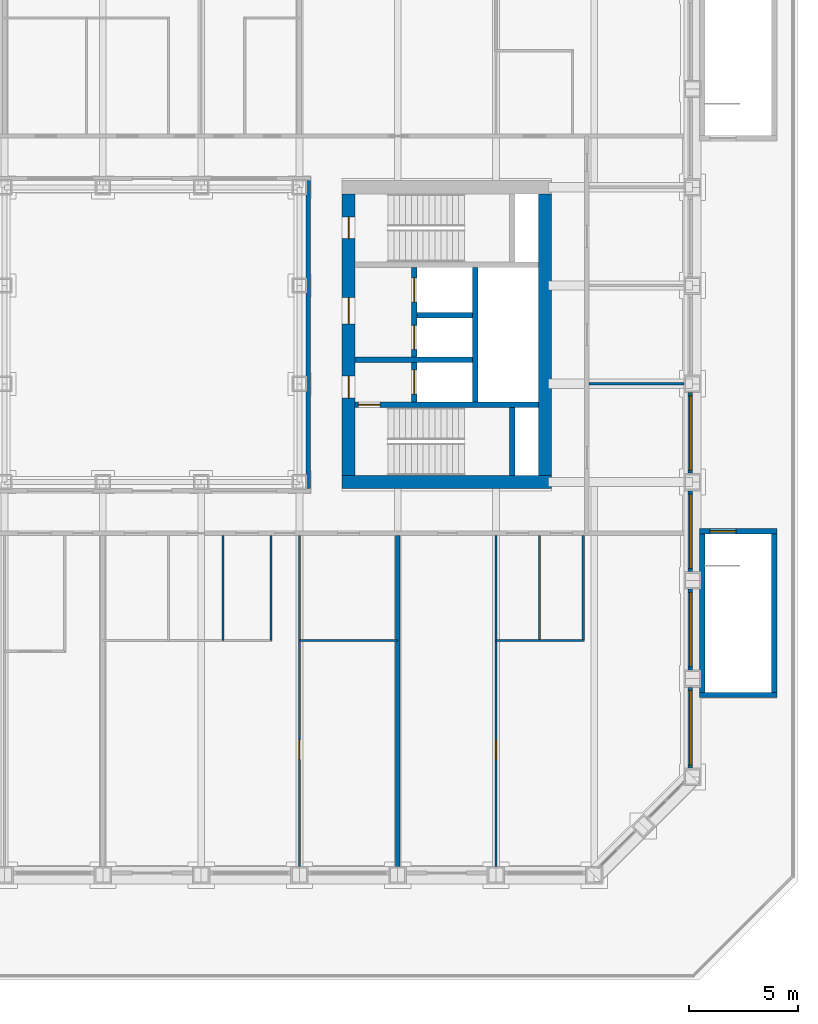
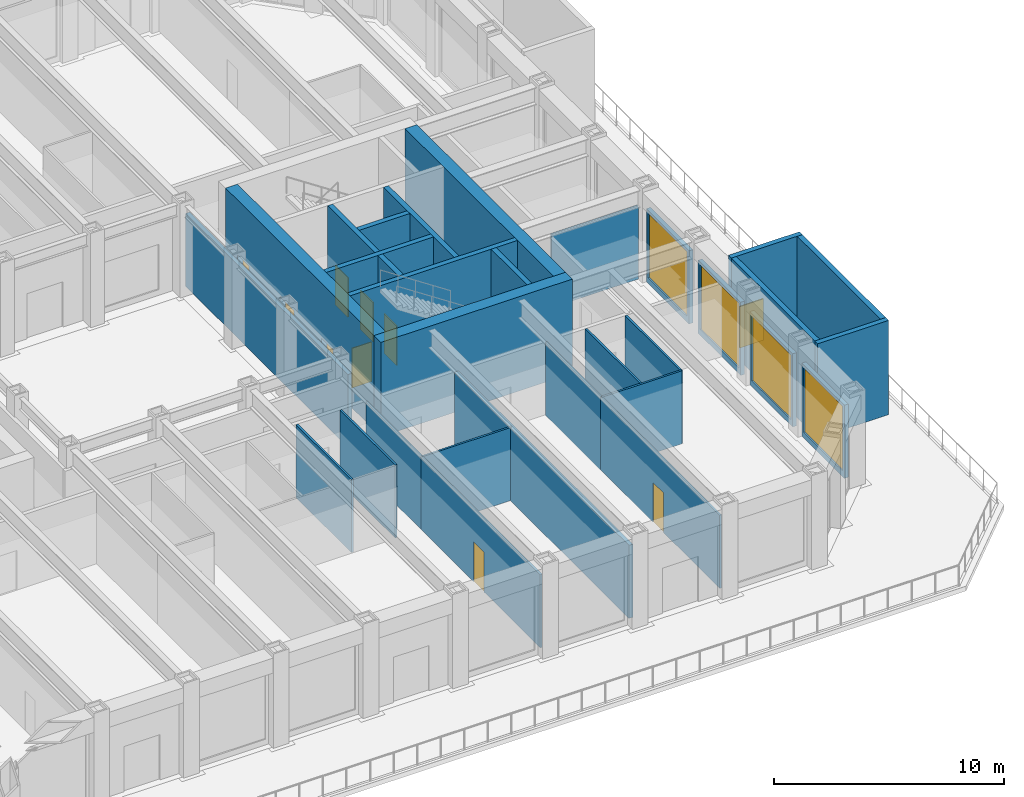
# One storey, part 11 of 18: 30 walls, 10 doors, 4 windows, 14 openings.
"""IFC4 building model written with IfcOpenShell, lengths in metres."""

from ifc_helpers import new_model, si_unit, direction, frame, frame_2d, origin, place, context, subcontext, project, spatial, rectangle, extrude, material, layer, layer_set, type_object, element, fill, save


model = new_model("IFC4")

# Units and contexts
model_context = context("Model", 3, precision=1e-05, world=origin(), true_north=direction((0.0, 1.0)))
body_context = subcontext(model_context, "Body", "Model", "MODEL_VIEW")
ifc_project = project(units=[si_unit("LENGTHUNIT", "METRE"), si_unit("AREAUNIT", "SQUARE_METRE"), si_unit("VOLUMEUNIT", "CUBIC_METRE"), si_unit("PLANEANGLEUNIT", "RADIAN"), si_unit("MASSUNIT", "GRAM", prefix="KILO")], contexts=[model_context])

# Site, building, storey
site_placement = place(None, origin())
site = spatial("IfcSite", under=ifc_project, at=site_placement, CompositionType="ELEMENT")
building_placement = place(site_placement, origin())
building = spatial("IfcBuilding", under=site, at=building_placement, Name="Msasa Ring Tower", CompositionType="ELEMENT")
storey_placement = place(building_placement, frame((0.0, 0.0, 21.5)))
storey = spatial("IfcBuildingStorey", under=building, at=storey_placement, Name="L04", CompositionType="ELEMENT", Elevation=21.5)

# Wall
ifc_material_1 = material(Name="Concrete C60/75", Category="concrete")
ifc_layer_1 = layer(ifc_material_1, 0.60009765625)
ifc_layer_set_1 = layer_set([ifc_layer_1], Name="CW1 CORE WALL 600")
wall_type_1 = type_object("IfcWallType", Name="CW1 CORE WALL 600", PredefinedType="SHEAR", material=ifc_layer_set_1)
wall_1_placement = place(storey_placement, frame((8.699951171875, -6.75, 0.0), z_axis=(0.0, 0.0, 1.0), x_axis=(1.0, 0.0, 0.0)))
element("IfcWall", 1, at=wall_1_placement, inside=storey, type_object=wall_type_1, Name="E core wall S L04", PredefinedType="SHEAR", context=body_context, shape_type="SweptSolid", body=[
    extrude(rectangle(XDim=9.60009765625, YDim=0.60009765625, at=frame_2d((4.800048828125, 0.0))), origin(), (0.0, 0.0, 1.0), 5.0),
])

# Wall, openings, doors
wall_2_placement = place(storey_placement, frame((9.0, -6.449951171875, 0.0), z_axis=(0.0, 0.0, 1.0), x_axis=(0.0, 1.0, 0.0)))
wall_2 = element("IfcWall", 2, at=wall_2_placement, inside=storey, type_object=wall_type_1, Name="E core wall W L04", PredefinedType="SHEAR", context=body_context, shape_type="SweptSolid", body=[
    extrude(rectangle(XDim=12.89990234375, YDim=0.60009765625, at=frame_2d((6.449951171875, 0.0))), origin(), (0.0, 0.0, 1.0), 5.0),
])
opening_1_placement = place(wall_2_placement, frame((3.550048828125, 0.0, 0.0)))
opening_1 = element("IfcOpeningElement", 3, at=opening_1_placement, cuts=wall_2, Name="Opening L04-029", PredefinedType="OPENING", context=body_context, shape_type="SweptSolid", body=[
    extrude(rectangle(XDim=1.0, YDim=2.10009765625, at=frame_2d((0.5, 1.050048828125))), frame((0.0, 0.31005859375, 0.0), z_axis=(0.0, -1.0, 0.0), x_axis=(1.0, 0.0, 0.0)), (0.0, 0.0, 1.0), 0.6201171875),
])
opening_2_placement = place(wall_2_placement, frame((6.949951171875, 0.0, 0.0)))
opening_2 = element("IfcOpeningElement", 4, at=opening_2_placement, cuts=wall_2, Name="Opening L04-025", PredefinedType="OPENING", context=body_context, shape_type="SweptSolid", body=[
    extrude(rectangle(XDim=1.199951171875, YDim=2.10009765625, at=frame_2d((0.60009765625, 1.050048828125))), frame((0.0, 0.31005859375, 0.0), z_axis=(0.0, -1.0, 0.0), x_axis=(1.0, 0.0, 0.0)), (0.0, 0.0, 1.0), 0.6201171875),
])
opening_3_placement = place(wall_2_placement, frame((10.85009765625, 0.0, 0.0)))
opening_3 = element("IfcOpeningElement", 5, at=opening_3_placement, cuts=wall_2, Name="Opening L04-022", PredefinedType="OPENING", context=body_context, shape_type="SweptSolid", body=[
    extrude(rectangle(XDim=1.0, YDim=2.10009765625, at=frame_2d((0.5, 1.050048828125))), frame((0.0, 0.31005859375, 0.0), z_axis=(0.0, -1.0, 0.0), x_axis=(1.0, 0.0, 0.0)), (0.0, 0.0, 1.0), 0.6201171875),
])
ifc_material_2 = material(Name="Timber door leaf in a steel frame", Category="steel")
door_type_1 = type_object("IfcDoorType", Name="D4 LOBBY DOOR 1000x2100", OperationType="SINGLE_SWING_LEFT", PredefinedType="DOOR", material=ifc_material_2)
door_1_placement = place(opening_1_placement, origin())
door_1 = element("IfcDoor", 6, at=door_1_placement, inside=storey, type_object=door_type_1, Name="Door L04-EFFL", OperationType="SINGLE_SWING_LEFT", OverallHeight=2.10009765625, OverallWidth=1.0, PredefinedType="DOOR", context=body_context, shape_type="SweptSolid", body=[
    extrude(rectangle(XDim=1.0, YDim=2.10009765625, at=frame_2d((0.5, 1.050048828125))), frame((0.0, 0.02490234375, 0.0), z_axis=(0.0, -1.0, 0.0), x_axis=(1.0, 0.0, 0.0)), (0.0, 0.0, 1.0), 0.050048828125),
])
fill(opening_1, door_1)
ifc_material_3 = material(Name="Timber door leaf in a steel frame", Category="steel")
door_type_2 = type_object("IfcDoorType", Name="D5 WIDE LOBBY DOOR 1200x2100", OperationType="SINGLE_SWING_LEFT", PredefinedType="DOOR", material=ifc_material_3)
door_2_placement = place(opening_2_placement, origin())
door_2 = element("IfcDoor", 7, at=door_2_placement, inside=storey, type_object=door_type_2, Name="Door L04-ELL", OperationType="SINGLE_SWING_RIGHT", OverallHeight=2.10009765625, OverallWidth=1.199951171875, PredefinedType="DOOR", context=body_context, shape_type="SweptSolid", body=[
    extrude(rectangle(XDim=1.199951171875, YDim=2.10009765625, at=frame_2d((0.60009765625, 1.050048828125))), frame((0.0, 0.02490234375, 0.0), z_axis=(0.0, -1.0, 0.0), x_axis=(1.0, 0.0, 0.0)), (0.0, 0.0, 1.0), 0.050048828125),
])
fill(opening_2, door_2)
ifc_material_4 = material(Name="Timber door leaf in a steel frame", Category="steel")
door_type_3 = type_object("IfcDoorType", Name="D6 STAIR DOOR 1000x2100", OperationType="SINGLE_SWING_LEFT", PredefinedType="DOOR", material=ifc_material_4)
door_3_placement = place(opening_3_placement, origin())
door_3 = element("IfcDoor", 8, at=door_3_placement, inside=storey, type_object=door_type_3, Name="Door L04-ESTB", OperationType="SINGLE_SWING_RIGHT", OverallHeight=2.10009765625, OverallWidth=1.0, PredefinedType="DOOR", context=body_context, shape_type="SweptSolid", body=[
    extrude(rectangle(XDim=1.0, YDim=2.10009765625, at=frame_2d((0.5, 1.050048828125))), frame((0.0, 0.02490234375, 0.0), z_axis=(0.0, -1.0, 0.0), x_axis=(1.0, 0.0, 0.0)), (0.0, 0.0, 1.0), 0.050048828125),
])
fill(opening_3, door_3)

# Wall
wall_3_placement = place(storey_placement, frame((18.0, -6.449951171875, 0.0), z_axis=(0.0, 0.0, 1.0), x_axis=(0.0, 1.0, 0.0)))
element("IfcWall", 9, at=wall_3_placement, inside=storey, type_object=wall_type_1, Name="E core wall E L04", PredefinedType="SHEAR", context=body_context, shape_type="SweptSolid", body=[
    extrude(rectangle(XDim=12.89990234375, YDim=0.60009765625, at=frame_2d((6.449951171875, 0.0))), origin(), (0.0, 0.0, 1.0), 5.0),
])

# Wall, opening, door
ifc_material_5 = material(Name="Concrete C60/75", Category="concrete")
ifc_layer_2 = layer(ifc_material_5, 0.25)
ifc_layer_set_2 = layer_set([ifc_layer_2], Name="CW4 CORE INNER WALL 250")
wall_type_2 = type_object("IfcWallType", Name="CW4 CORE INNER WALL 250", PredefinedType="SHEAR", material=ifc_layer_set_2)
wall_4_placement = place(storey_placement, frame((9.300048828125, -3.199951171875, 0.0), z_axis=(0.0, 0.0, 1.0), x_axis=(1.0, 0.0, 0.0)))
wall_4 = element("IfcWall", 10, at=wall_4_placement, inside=storey, type_object=wall_type_2, Name="E core wall STAIRA L04", PredefinedType="SHEAR", context=body_context, shape_type="SweptSolid", body=[
    extrude(rectangle(XDim=8.39990234375, YDim=0.25, at=frame_2d((4.199951171875, 0.0))), origin(), (0.0, 0.0, 1.0), 5.0),
])
opening_4_placement = place(wall_4_placement, frame((0.14990234375, 0.0, 0.0)))
opening_4 = element("IfcOpeningElement", 11, at=opening_4_placement, cuts=wall_4, Name="Opening L04-031", PredefinedType="OPENING", context=body_context, shape_type="SweptSolid", body=[
    extrude(rectangle(XDim=1.0, YDim=2.10009765625, at=frame_2d((0.5, 1.050048828125))), frame((0.0, 0.135009765625, 0.0), z_axis=(0.0, -1.0, 0.0), x_axis=(1.0, 0.0, 0.0)), (0.0, 0.0, 1.0), 0.27001953125),
])
door_4_placement = place(opening_4_placement, origin())
door_4 = element("IfcDoor", 12, at=door_4_placement, inside=storey, type_object=door_type_3, Name="Door L04-ESTA", OperationType="SINGLE_SWING_LEFT", OverallHeight=2.10009765625, OverallWidth=1.0, PredefinedType="DOOR", context=body_context, shape_type="SweptSolid", body=[
    extrude(rectangle(XDim=1.0, YDim=2.10009765625, at=frame_2d((0.5, 1.050048828125))), frame((0.0, 0.02490234375, 0.0), z_axis=(0.0, -1.0, 0.0), x_axis=(1.0, 0.0, 0.0)), (0.0, 0.0, 1.0), 0.050048828125),
])
fill(opening_4, door_4)

# Walls
wall_5_placement = place(storey_placement, frame((16.5, -6.449951171875, 0.0), z_axis=(0.0, 0.0, 1.0), x_axis=(0.0, 1.0, 0.0)))
element("IfcWall", 13, at=wall_5_placement, inside=storey, type_object=wall_type_2, Name="E core wall RISERA L04", PredefinedType="SHEAR", context=body_context, shape_type="SweptSolid", body=[
    extrude(rectangle(XDim=3.125, YDim=0.25, at=frame_2d((1.5625, 0.0))), origin(), (0.0, 0.0, 1.0), 5.0),
])
wall_6_placement = place(storey_placement, frame((9.300048828125, -1.14990234375, 0.0), z_axis=(0.0, 0.0, 1.0), x_axis=(1.0, 0.0, 0.0)))
element("IfcWall", 14, at=wall_6_placement, inside=storey, type_object=wall_type_2, Name="E core wall FFL L04", PredefinedType="SHEAR", context=body_context, shape_type="SweptSolid", body=[
    extrude(rectangle(XDim=5.375, YDim=0.25, at=frame_2d((2.6875, 0.0))), origin(), (0.0, 0.0, 1.0), 5.0),
])

# Wall, openings, doors
wall_7_placement = place(storey_placement, frame((12.0, -3.074951171875, 0.0), z_axis=(0.0, 0.0, 1.0), x_axis=(0.0, 1.0, 0.0)))
wall_7 = element("IfcWall", 15, at=wall_7_placement, inside=storey, type_object=wall_type_2, Name="E core wall LOBBY L04", PredefinedType="SHEAR", context=body_context, shape_type="SweptSolid", body=[
    extrude(rectangle(XDim=6.14990234375, YDim=0.25, at=frame_2d((3.074951171875, 0.0))), origin(), (0.0, 0.0, 1.0), 5.0),
])
opening_5_placement = place(wall_7_placement, frame((0.35009765625, 0.0, 0.0)))
opening_5 = element("IfcOpeningElement", 16, at=opening_5_placement, cuts=wall_7, Name="Opening LD1", PredefinedType="OPENING", context=body_context, shape_type="SweptSolid", body=[
    extrude(rectangle(XDim=1.10009765625, YDim=2.10009765625, at=frame_2d((0.550048828125, 1.050048828125))), frame((0.0, 0.135009765625, 0.0), z_axis=(0.0, -1.0, 0.0), x_axis=(1.0, 0.0, 0.0)), (0.0, 0.0, 1.0), 0.27001953125),
])
opening_6_placement = place(wall_7_placement, frame((2.39990234375, 0.0, 0.0)))
opening_6 = element("IfcOpeningElement", 17, at=opening_6_placement, cuts=wall_7, Name="Opening LD1", PredefinedType="OPENING", context=body_context, shape_type="SweptSolid", body=[
    extrude(rectangle(XDim=1.10009765625, YDim=2.10009765625, at=frame_2d((0.550048828125, 1.050048828125))), frame((0.0, 0.135009765625, 0.0), z_axis=(0.0, -1.0, 0.0), x_axis=(1.0, 0.0, 0.0)), (0.0, 0.0, 1.0), 0.27001953125),
])
opening_7_placement = place(wall_7_placement, frame((4.574951171875, 0.0, 0.0)))
opening_7 = element("IfcOpeningElement", 18, at=opening_7_placement, cuts=wall_7, Name="Opening LD1", PredefinedType="OPENING", context=body_context, shape_type="SweptSolid", body=[
    extrude(rectangle(XDim=1.10009765625, YDim=2.10009765625, at=frame_2d((0.550048828125, 1.050048828125))), frame((0.0, 0.135009765625, 0.0), z_axis=(0.0, -1.0, 0.0), x_axis=(1.0, 0.0, 0.0)), (0.0, 0.0, 1.0), 0.27001953125),
])
ifc_material_6 = material(Name="Stainless steel lift landing door", Category="steel")
door_type_4 = type_object("IfcDoorType", Name="LD1 LIFT LANDING DOOR 1100x2100", OperationType="DOUBLE_DOOR_SLIDING", PredefinedType="DOOR", material=ifc_material_6)
door_5_placement = place(opening_5_placement, origin())
door_5 = element("IfcDoor", 19, at=door_5_placement, inside=storey, type_object=door_type_4, Name="Lift landing door FL-E L04", OperationType="DOUBLE_DOOR_SLIDING", OverallHeight=2.10009765625, OverallWidth=1.10009765625, PredefinedType="DOOR", context=body_context, shape_type="SweptSolid", body=[
    extrude(rectangle(XDim=1.10009765625, YDim=2.10009765625, at=frame_2d((0.550048828125, 1.050048828125))), frame((0.0, 0.02490234375, 0.0), z_axis=(0.0, -1.0, 0.0), x_axis=(1.0, 0.0, 0.0)), (0.0, 0.0, 1.0), 0.050048828125),
])
fill(opening_5, door_5)
door_6_placement = place(opening_6_placement, origin())
door_6 = element("IfcDoor", 20, at=door_6_placement, inside=storey, type_object=door_type_4, Name="Lift landing door PL-R1 L04", OperationType="DOUBLE_DOOR_SLIDING", OverallHeight=2.10009765625, OverallWidth=1.10009765625, PredefinedType="DOOR", context=body_context, shape_type="SweptSolid", body=[
    extrude(rectangle(XDim=1.10009765625, YDim=2.10009765625, at=frame_2d((0.550048828125, 1.050048828125))), frame((0.0, 0.02490234375, 0.0), z_axis=(0.0, -1.0, 0.0), x_axis=(1.0, 0.0, 0.0)), (0.0, 0.0, 1.0), 0.050048828125),
])
fill(opening_6, door_6)
door_7_placement = place(opening_7_placement, origin())
door_7 = element("IfcDoor", 21, at=door_7_placement, inside=storey, type_object=door_type_4, Name="Lift landing door PL-R2 L04", OperationType="DOUBLE_DOOR_SLIDING", OverallHeight=2.10009765625, OverallWidth=1.10009765625, PredefinedType="DOOR", context=body_context, shape_type="SweptSolid", body=[
    extrude(rectangle(XDim=1.10009765625, YDim=2.10009765625, at=frame_2d((0.550048828125, 1.050048828125))), frame((0.0, 0.02490234375, 0.0), z_axis=(0.0, -1.0, 0.0), x_axis=(1.0, 0.0, 0.0)), (0.0, 0.0, 1.0), 0.050048828125),
])
fill(opening_7, door_7)

# Walls
wall_8_placement = place(storey_placement, frame((14.800048828125, -3.074951171875, 0.0), z_axis=(0.0, 0.0, 1.0), x_axis=(0.0, 1.0, 0.0)))
element("IfcWall", 22, at=wall_8_placement, inside=storey, type_object=wall_type_2, Name="E core wall SHAFT L04", PredefinedType="SHEAR", context=body_context, shape_type="SweptSolid", body=[
    extrude(rectangle(XDim=6.14990234375, YDim=0.25, at=frame_2d((3.074951171875, 0.0))), origin(), (0.0, 0.0, 1.0), 5.0),
])
wall_9_placement = place(storey_placement, frame((12.125, 0.89990234375, 0.0), z_axis=(0.0, 0.0, 1.0), x_axis=(1.0, 0.0, 0.0)))
element("IfcWall", 23, at=wall_9_placement, inside=storey, type_object=wall_type_2, Name="E core wall LIFT1 L04", PredefinedType="SHEAR", context=body_context, shape_type="SweptSolid", body=[
    extrude(rectangle(XDim=2.550048828125, YDim=0.25, at=frame_2d((1.27490234375, 0.0))), origin(), (0.0, 0.0, 1.0), 5.0),
])

# Wall, opening, window
ifc_material_7 = material(Name="Terracotta rainscreen on blockwork", Category="masonry")
ifc_layer_3 = layer(ifc_material_7, 0.199951171875)
ifc_layer_set_3 = layer_set([ifc_layer_3], Name="FW1 TERRACOTTA-LINED INFILL BAY WALL 200")
wall_type_3 = type_object("IfcWallType", Name="FW1 TERRACOTTA-LINED INFILL BAY WALL 200", PredefinedType="SOLIDWALL", material=ifc_layer_set_3)
wall_10_placement = place(storey_placement, frame((24.64990234375, -19.844970703125, 0.0), z_axis=(0.0, 0.0, 1.0), x_axis=(0.0, 1.0, 0.0)))
wall_10 = element("IfcWall", 24, at=wall_10_placement, inside=storey, type_object=wall_type_3, Name="Infill bay wall E L04 11", PredefinedType="SOLIDWALL", context=body_context, shape_type="SweptSolid", body=[
    extrude(rectangle(XDim=3.68994140625, YDim=0.199951171875, at=frame_2d((1.844970703125, 0.0))), origin(), (0.0, 0.0, 1.0), 3.87890625),
])
opening_8_placement = place(wall_10_placement, frame((0.14501953125, 0.0, 0.300048828125)))
opening_8 = element("IfcOpeningElement", 25, at=opening_8_placement, cuts=wall_10, Name="Opening WN4", PredefinedType="OPENING", context=body_context, shape_type="SweptSolid", body=[
    extrude(rectangle(XDim=3.39990234375, YDim=3.428955078125, at=frame_2d((1.699951171875, 1.71435546875))), frame((0.0, 0.10986328125, 0.0), z_axis=(0.0, -1.0, 0.0), x_axis=(1.0, 0.0, 0.0)), (0.0, 0.0, 1.0), 0.219970703125),
])
ifc_material_8 = material(Name="Aluminium frame with clear glass", Category="aluminium")
window_type = type_object("IfcWindowType", Name="WN4 AMENITY WINDOW 3400x3429", PartitioningType="SINGLE_PANEL", PredefinedType="WINDOW", material=ifc_material_8)
window_1_placement = place(opening_8_placement, origin())
window_1 = element("IfcWindow", 26, at=window_1_placement, inside=storey, type_object=window_type, Name="Window E L04 11", OverallHeight=3.428955078125, OverallWidth=3.39990234375, PartitioningType="SINGLE_PANEL", PredefinedType="WINDOW", context=body_context, shape_type="SweptSolid", body=[
    extrude(rectangle(XDim=3.39990234375, YDim=3.428955078125, at=frame_2d((1.699951171875, 1.71435546875))), frame((0.0, 0.030029296875, 0.0), z_axis=(0.0, -1.0, 0.0), x_axis=(1.0, 0.0, 0.0)), (0.0, 0.0, 1.0), 0.06005859375),
])
fill(opening_8, window_1)

wall_11_placement = place(storey_placement, frame((24.64990234375, -15.344970703125, 0.0), z_axis=(0.0, 0.0, 1.0), x_axis=(0.0, 1.0, 0.0)))
wall_11 = element("IfcWall", 27, at=wall_11_placement, inside=storey, type_object=wall_type_3, Name="Infill bay wall E L04 12", PredefinedType="SOLIDWALL", context=body_context, shape_type="SweptSolid", body=[
    extrude(rectangle(XDim=3.68994140625, YDim=0.199951171875, at=frame_2d((1.844970703125, 0.0))), origin(), (0.0, 0.0, 1.0), 3.87890625),
])
opening_9_placement = place(wall_11_placement, frame((0.14501953125, 0.0, 0.300048828125)))
opening_9 = element("IfcOpeningElement", 28, at=opening_9_placement, cuts=wall_11, Name="Opening WN4", PredefinedType="OPENING", context=body_context, shape_type="SweptSolid", body=[
    extrude(rectangle(XDim=3.39990234375, YDim=3.428955078125, at=frame_2d((1.699951171875, 1.71435546875))), frame((0.0, 0.10986328125, 0.0), z_axis=(0.0, -1.0, 0.0), x_axis=(1.0, 0.0, 0.0)), (0.0, 0.0, 1.0), 0.219970703125),
])
window_2_placement = place(opening_9_placement, origin())
window_2 = element("IfcWindow", 29, at=window_2_placement, inside=storey, type_object=window_type, Name="Window E L04 12", OverallHeight=3.428955078125, OverallWidth=3.39990234375, PartitioningType="SINGLE_PANEL", PredefinedType="WINDOW", context=body_context, shape_type="SweptSolid", body=[
    extrude(rectangle(XDim=3.39990234375, YDim=3.428955078125, at=frame_2d((1.699951171875, 1.71435546875))), frame((0.0, 0.030029296875, 0.0), z_axis=(0.0, -1.0, 0.0), x_axis=(1.0, 0.0, 0.0)), (0.0, 0.0, 1.0), 0.06005859375),
])
fill(opening_9, window_2)

wall_12_placement = place(storey_placement, frame((24.64990234375, -10.844970703125, 0.0), z_axis=(0.0, 0.0, 1.0), x_axis=(0.0, 1.0, 0.0)))
wall_12 = element("IfcWall", 30, at=wall_12_placement, inside=storey, type_object=wall_type_3, Name="Infill bay wall E L04 13", PredefinedType="SOLIDWALL", context=body_context, shape_type="SweptSolid", body=[
    extrude(rectangle(XDim=3.68994140625, YDim=0.199951171875, at=frame_2d((1.844970703125, 0.0))), origin(), (0.0, 0.0, 1.0), 3.87890625),
])
opening_10_placement = place(wall_12_placement, frame((0.14501953125, 0.0, 0.300048828125)))
opening_10 = element("IfcOpeningElement", 31, at=opening_10_placement, cuts=wall_12, Name="Opening WN4", PredefinedType="OPENING", context=body_context, shape_type="SweptSolid", body=[
    extrude(rectangle(XDim=3.39990234375, YDim=3.428955078125, at=frame_2d((1.699951171875, 1.71435546875))), frame((0.0, 0.10986328125, 0.0), z_axis=(0.0, -1.0, 0.0), x_axis=(1.0, 0.0, 0.0)), (0.0, 0.0, 1.0), 0.219970703125),
])
window_3_placement = place(opening_10_placement, origin())
window_3 = element("IfcWindow", 32, at=window_3_placement, inside=storey, type_object=window_type, Name="Window E L04 13", OverallHeight=3.428955078125, OverallWidth=3.39990234375, PartitioningType="SINGLE_PANEL", PredefinedType="WINDOW", context=body_context, shape_type="SweptSolid", body=[
    extrude(rectangle(XDim=3.39990234375, YDim=3.428955078125, at=frame_2d((1.699951171875, 1.71435546875))), frame((0.0, 0.030029296875, 0.0), z_axis=(0.0, -1.0, 0.0), x_axis=(1.0, 0.0, 0.0)), (0.0, 0.0, 1.0), 0.06005859375),
])
fill(opening_10, window_3)

wall_13_placement = place(storey_placement, frame((24.64990234375, -6.344970703125, 0.0), z_axis=(0.0, 0.0, 1.0), x_axis=(0.0, 1.0, 0.0)))
wall_13 = element("IfcWall", 33, at=wall_13_placement, inside=storey, type_object=wall_type_3, Name="Infill bay wall E L04 14", PredefinedType="SOLIDWALL", context=body_context, shape_type="SweptSolid", body=[
    extrude(rectangle(XDim=3.68994140625, YDim=0.199951171875, at=frame_2d((1.844970703125, 0.0))), origin(), (0.0, 0.0, 1.0), 3.87890625),
])
opening_11_placement = place(wall_13_placement, frame((0.14501953125, 0.0, 0.300048828125)))
opening_11 = element("IfcOpeningElement", 34, at=opening_11_placement, cuts=wall_13, Name="Opening WN4", PredefinedType="OPENING", context=body_context, shape_type="SweptSolid", body=[
    extrude(rectangle(XDim=3.39990234375, YDim=3.428955078125, at=frame_2d((1.699951171875, 1.71435546875))), frame((0.0, 0.10986328125, 0.0), z_axis=(0.0, -1.0, 0.0), x_axis=(1.0, 0.0, 0.0)), (0.0, 0.0, 1.0), 0.219970703125),
])
window_4_placement = place(opening_11_placement, origin())
window_4 = element("IfcWindow", 35, at=window_4_placement, inside=storey, type_object=window_type, Name="Window E L04 14", OverallHeight=3.428955078125, OverallWidth=3.39990234375, PartitioningType="SINGLE_PANEL", PredefinedType="WINDOW", context=body_context, shape_type="SweptSolid", body=[
    extrude(rectangle(XDim=3.39990234375, YDim=3.428955078125, at=frame_2d((1.699951171875, 1.71435546875))), frame((0.0, 0.030029296875, 0.0), z_axis=(0.0, -1.0, 0.0), x_axis=(1.0, 0.0, 0.0)), (0.0, 0.0, 1.0), 0.06005859375),
])
fill(opening_11, window_4)

# Walls
ifc_material_9 = material(Name="Terracotta rainscreen on blockwork", Category="masonry")
ifc_layer_4 = layer(ifc_material_9, 0.199951171875)
ifc_layer_set_4 = layer_set([ifc_layer_4], Name="FW4 LIGHT WELL WALL 200")
wall_type_4 = type_object("IfcWallType", Name="FW4 LIGHT WELL WALL 200", PredefinedType="SOLIDWALL", material=ifc_layer_set_4)
wall_14_placement = place(storey_placement, frame((7.14990234375, -7.050048828125, 0.0), z_axis=(0.0, 0.0, 1.0), x_axis=(0.0, 1.0, 0.0)))
element("IfcWall", 36, at=wall_14_placement, inside=storey, type_object=wall_type_4, Name="Light well wall E L04", PredefinedType="SOLIDWALL", context=body_context, shape_type="SweptSolid", body=[
    extrude(rectangle(XDim=14.10009765625, YDim=0.199951171875, at=frame_2d((7.050048828125, 0.0))), origin(), (0.0, 0.0, 1.0), 3.873291015625),
])
ifc_material_10 = material(Name="Gypsum board on steel studs", Category="steel")
ifc_layer_5 = layer(ifc_material_10, 0.10009765625)
ifc_layer_set_5 = layer_set([ifc_layer_5], Name="PT2 STUD PARTITION 100")
wall_type_5 = type_object("IfcWallType", Name="PT2 STUD PARTITION 100", PredefinedType="PARTITIONING", material=ifc_layer_set_5)
wall_15_placement = place(storey_placement, frame((6.75, -14.0, 0.0), z_axis=(0.0, 0.0, 1.0), x_axis=(1.0, 0.0, 0.0)))
element("IfcWall", 37, at=wall_15_placement, inside=storey, type_object=wall_type_5, Name="Partition L04-AMS1X1", PredefinedType="PARTITIONING", context=body_context, shape_type="SweptSolid", body=[
    extrude(rectangle(XDim=4.5, YDim=0.10009765625, at=frame_2d((2.25, 0.0))), origin(), (0.0, 0.0, 1.0), 3.873291015625),
])
for number, where, z_axis, x_axis, name in (
    (38, (3.25, -14.0, 0.0), (0.0, 0.0, 1.0), (0.0, 1.0, 0.0), "Partition L04-AMS1Y1"),
    (39, (5.449951171875, -14.0, 0.0), (0.0, 0.0, 1.0), (0.0, 1.0, 0.0), "Partition L04-AMS1Y2"),
    (40, (6.75, -14.0, 0.0), (0.0, 0.0, 1.0), (0.0, 1.0, 0.0), "Partition L04-AMS1Y3"),
):
    element("IfcWall", number, at=place(storey_placement, frame(where, z_axis=z_axis, x_axis=x_axis)), inside=storey, type_object=wall_type_5, Name=name, PredefinedType="PARTITIONING", context=body_context, shape_type="SweptSolid", body=[
        extrude(rectangle(XDim=4.800048828125, YDim=0.10009765625, at=frame_2d((2.39990234375, 0.0))), origin(), (0.0, 0.0, 1.0), 3.873291015625),
    ])

# Wall, opening, door
wall_16_placement = place(storey_placement, frame((6.75, -24.35009765625, 0.0), z_axis=(0.0, 0.0, 1.0), x_axis=(0.0, 1.0, 0.0)))
wall_16 = element("IfcWall", 41, at=wall_16_placement, inside=storey, type_object=wall_type_5, Name="Partition L04-AMS1S0", PredefinedType="PARTITIONING", context=body_context, shape_type="SweptSolid", body=[
    extrude(rectangle(XDim=10.35009765625, YDim=0.10009765625, at=frame_2d((5.175048828125, 0.0))), origin(), (0.0, 0.0, 1.0), 3.873291015625),
])
opening_12_placement = place(wall_16_placement, frame((4.89990234375, 0.0, 0.0)))
opening_12 = element("IfcOpeningElement", 42, at=opening_12_placement, cuts=wall_16, Name="Opening L04-052", PredefinedType="OPENING", context=body_context, shape_type="SweptSolid", body=[
    extrude(rectangle(XDim=0.89990234375, YDim=2.10009765625, at=frame_2d((0.449951171875, 1.050048828125))), frame((0.0, 0.06005859375, 0.0), z_axis=(0.0, -1.0, 0.0), x_axis=(1.0, 0.0, 0.0)), (0.0, 0.0, 1.0), 0.1201171875),
])
ifc_material_11 = material(Name="Timber door leaf in a steel frame", Category="steel")
door_type_5 = type_object("IfcDoorType", Name="D31 INTERNAL ROOM DOOR 900x2100", OperationType="SINGLE_SWING_LEFT", PredefinedType="DOOR", material=ifc_material_11)
door_8_placement = place(opening_12_placement, origin())
door_8 = element("IfcDoor", 43, at=door_8_placement, inside=storey, type_object=door_type_5, Name="Door L04-AMS1L01", OperationType="SINGLE_SWING_RIGHT", OverallHeight=2.10009765625, OverallWidth=0.89990234375, PredefinedType="DOOR", context=body_context, shape_type="SweptSolid", body=[
    extrude(rectangle(XDim=0.89990234375, YDim=2.10009765625, at=frame_2d((0.449951171875, 1.050048828125))), frame((0.0, 0.02490234375, 0.0), z_axis=(0.0, -1.0, 0.0), x_axis=(1.0, 0.0, 0.0)), (0.0, 0.0, 1.0), 0.050048828125),
])
fill(opening_12, door_8)

# Walls
wall_17_placement = place(storey_placement, frame((15.75, -14.0, 0.0), z_axis=(0.0, 0.0, 1.0), x_axis=(1.0, 0.0, 0.0)))
element("IfcWall", 44, at=wall_17_placement, inside=storey, type_object=wall_type_5, Name="Partition L04-AMS2X0", PredefinedType="PARTITIONING", context=body_context, shape_type="SweptSolid", body=[
    extrude(rectangle(XDim=4.0, YDim=0.10009765625, at=frame_2d((2.0, 0.0))), origin(), (0.0, 0.0, 1.0), 3.873291015625),
])
for number, where, z_axis, x_axis, name in (
    (45, (15.75, -14.0, 0.0), (0.0, 0.0, 1.0), (0.0, 1.0, 0.0), "Partition L04-AMS2Y0"),
    (46, (17.75, -14.0, 0.0), (0.0, 0.0, 1.0), (0.0, 1.0, 0.0), "Partition L04-AMS2Y1"),
    (47, (19.75, -14.0, 0.0), (0.0, 0.0, 1.0), (0.0, 1.0, 0.0), "Partition L04-AMS2Y2"),
):
    element("IfcWall", number, at=place(storey_placement, frame(where, z_axis=z_axis, x_axis=x_axis)), inside=storey, type_object=wall_type_5, Name=name, PredefinedType="PARTITIONING", context=body_context, shape_type="SweptSolid", body=[
        extrude(rectangle(XDim=4.800048828125, YDim=0.10009765625, at=frame_2d((2.39990234375, 0.0))), origin(), (0.0, 0.0, 1.0), 3.873291015625),
    ])

# Wall, opening, door
wall_18_placement = place(storey_placement, frame((15.75, -24.35009765625, 0.0), z_axis=(0.0, 0.0, 1.0), x_axis=(0.0, 1.0, 0.0)))
wall_18 = element("IfcWall", 48, at=wall_18_placement, inside=storey, type_object=wall_type_5, Name="Partition L04-AMS2S0", PredefinedType="PARTITIONING", context=body_context, shape_type="SweptSolid", body=[
    extrude(rectangle(XDim=10.35009765625, YDim=0.10009765625, at=frame_2d((5.175048828125, 0.0))), origin(), (0.0, 0.0, 1.0), 3.873291015625),
])
opening_13_placement = place(wall_18_placement, frame((4.89990234375, 0.0, 0.0)))
opening_13 = element("IfcOpeningElement", 49, at=opening_13_placement, cuts=wall_18, Name="Opening L04-053", PredefinedType="OPENING", context=body_context, shape_type="SweptSolid", body=[
    extrude(rectangle(XDim=0.89990234375, YDim=2.10009765625, at=frame_2d((0.449951171875, 1.050048828125))), frame((0.0, 0.06005859375, 0.0), z_axis=(0.0, -1.0, 0.0), x_axis=(1.0, 0.0, 0.0)), (0.0, 0.0, 1.0), 0.1201171875),
])
door_9_placement = place(opening_13_placement, origin())
door_9 = element("IfcDoor", 50, at=door_9_placement, inside=storey, type_object=door_type_5, Name="Door L04-AMS2L01", OperationType="SINGLE_SWING_RIGHT", OverallHeight=2.10009765625, OverallWidth=0.89990234375, PredefinedType="DOOR", context=body_context, shape_type="SweptSolid", body=[
    extrude(rectangle(XDim=0.89990234375, YDim=2.10009765625, at=frame_2d((0.449951171875, 1.050048828125))), frame((0.0, 0.02490234375, 0.0), z_axis=(0.0, -1.0, 0.0), x_axis=(1.0, 0.0, 0.0)), (0.0, 0.0, 1.0), 0.050048828125),
])
fill(opening_13, door_9)

# Walls
wall_19_placement = place(storey_placement, frame((20.0, -2.25, 0.0), z_axis=(0.0, 0.0, 1.0), x_axis=(1.0, 0.0, 0.0)))
element("IfcWall", 51, at=wall_19_placement, inside=storey, type_object=wall_type_5, Name="Partition L04-WCEX0", PredefinedType="PARTITIONING", context=body_context, shape_type="SweptSolid", body=[
    extrude(rectangle(XDim=4.35009765625, YDim=0.10009765625, at=frame_2d((2.175048828125, 0.0))), origin(), (0.0, 0.0, 1.0), 3.873291015625),
])
ifc_material_12 = material(Name="Dense concrete blockwork, plastered both faces", Category="masonry")
ifc_layer_6 = layer(ifc_material_12, 0.25)
ifc_layer_set_6 = layer_set([ifc_layer_6], Name="PT3 APARTMENT SEPARATING WALL 250")
wall_type_6 = type_object("IfcWallType", Name="PT3 APARTMENT SEPARATING WALL 250", PredefinedType="PARTITIONING", material=ifc_layer_set_6)
wall_20_placement = place(storey_placement, frame((11.25, -24.35009765625, 0.0), z_axis=(0.0, 0.0, 1.0), x_axis=(0.0, 1.0, 0.0)))
element("IfcWall", 52, at=wall_20_placement, inside=storey, type_object=wall_type_6, Name="Party wall L04-PWS+11.25", PredefinedType="PARTITIONING", context=body_context, shape_type="SweptSolid", body=[
    extrude(rectangle(XDim=15.150146484375, YDim=0.199951171875, at=frame_2d((7.5751953125, 0.0))), origin(), (0.0, 0.0, 1.0), 3.873291015625),
])
ifc_material_13 = material(Name="Concrete C60/75", Category="concrete")
ifc_layer_7 = layer(ifc_material_13, 0.25)
ifc_layer_set_7 = layer_set([ifc_layer_7], Name="SW1 STAIR WALL 250")
wall_type_7 = type_object("IfcWallType", Name="SW1 STAIR WALL 250", PredefinedType="SHEAR", material=ifc_layer_set_7)
wall_21_placement = place(storey_placement, frame((25.074951171875, -16.5, 0.0), z_axis=(0.0, 0.0, 1.0), x_axis=(1.0, 0.0, 0.0)))
element("IfcWall", 53, at=wall_21_placement, inside=storey, type_object=wall_type_7, Name="Podium stair ES wall S L04", PredefinedType="SHEAR", context=body_context, shape_type="SweptSolid", body=[
    extrude(rectangle(XDim=3.550048828125, YDim=0.25, at=frame_2d((1.77490234375, 0.0))), origin(), (0.0, 0.0, 1.0), 5.0),
])

# Wall, opening, door
wall_22_placement = place(storey_placement, frame((25.074951171875, -9.0, 0.0), z_axis=(0.0, 0.0, 1.0), x_axis=(1.0, 0.0, 0.0)))
wall_22 = element("IfcWall", 54, at=wall_22_placement, inside=storey, type_object=wall_type_7, Name="Podium stair ES wall N L04", PredefinedType="SHEAR", context=body_context, shape_type="SweptSolid", body=[
    extrude(rectangle(XDim=3.550048828125, YDim=0.25, at=frame_2d((1.77490234375, 0.0))), origin(), (0.0, 0.0, 1.0), 5.0),
])
opening_14_placement = place(wall_22_placement, frame((0.47509765625, 0.0, 0.0)))
opening_14 = element("IfcOpeningElement", 55, at=opening_14_placement, cuts=wall_22, Name="Opening L04-036", PredefinedType="OPENING", context=body_context, shape_type="SweptSolid", body=[
    extrude(rectangle(XDim=1.199951171875, YDim=2.199951171875, at=frame_2d((0.60009765625, 1.10009765625))), frame((0.0, 0.135009765625, 0.0), z_axis=(0.0, -1.0, 0.0), x_axis=(1.0, 0.0, 0.0)), (0.0, 0.0, 1.0), 0.27001953125),
])
ifc_material_14 = material(Name="Aluminium frame with clear glass", Category="aluminium")
door_type_6 = type_object("IfcDoorType", Name="ED10 STAIR TERRACE DOOR 1200x2200", OperationType="SINGLE_SWING_LEFT", PredefinedType="DOOR", material=ifc_material_14)
door_10_placement = place(opening_14_placement, origin())
door_10 = element("IfcDoor", 56, at=door_10_placement, inside=storey, type_object=door_type_6, Name="Stair head-house door PES", OperationType="SINGLE_SWING_LEFT", OverallHeight=2.199951171875, OverallWidth=1.199951171875, PredefinedType="DOOR", context=body_context, shape_type="SweptSolid", body=[
    extrude(rectangle(XDim=1.199951171875, YDim=2.199951171875, at=frame_2d((0.60009765625, 1.10009765625))), frame((0.0, 0.02490234375, 0.0), z_axis=(0.0, -1.0, 0.0), x_axis=(1.0, 0.0, 0.0)), (0.0, 0.0, 1.0), 0.050048828125),
])
fill(opening_14, door_10)

# Walls
for number, where, z_axis, x_axis, name in (
    (57, (25.199951171875, -16.375, 0.0), (0.0, 0.0, 1.0), (0.0, 1.0, 0.0), "Podium stair ES wall W L04"),
    (58, (28.5, -16.375, 0.0), (0.0, 0.0, 1.0), (0.0, 1.0, 0.0), "Podium stair ES wall E L04"),
):
    element("IfcWall", number, at=place(storey_placement, frame(where, z_axis=z_axis, x_axis=x_axis)), inside=storey, type_object=wall_type_7, Name=name, PredefinedType="SHEAR", context=body_context, shape_type="SweptSolid", body=[
        extrude(rectangle(XDim=7.25, YDim=0.25, at=frame_2d((3.625, 0.0))), origin(), (0.0, 0.0, 1.0), 5.0),
    ])

save(model, "model.ifc")
